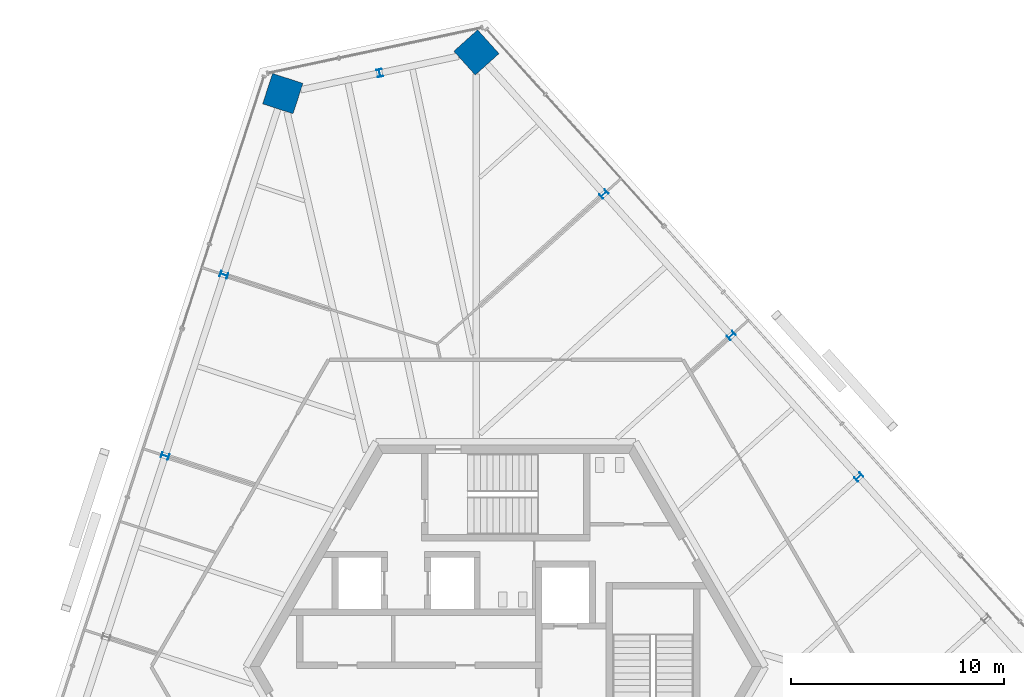
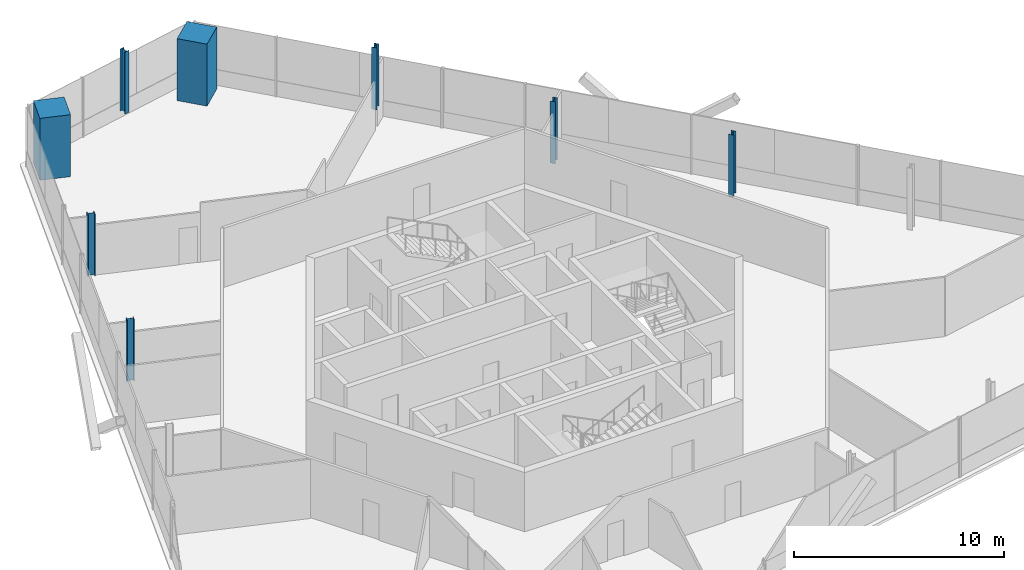
# One storey, part 3 of 15: 8 columns.
"""IFC4 building model written with IfcOpenShell, lengths in metres."""

from ifc_helpers import new_model, si_unit, direction, frame, origin, origin_2d, place, context, subcontext, project, spatial, rectangle, i_section, extrude, source, transform, mapped, material, material_profile, profile_set, type_object, element, save


model = new_model("IFC4")

# Units and contexts
model_context = context("Model", 3, precision=1e-05, world=origin(), true_north=direction((0.0, 1.0)))
body_context = subcontext(model_context, "Body", "Model", "MODEL_VIEW")
ifc_project = project(units=[si_unit("LENGTHUNIT", "METRE"), si_unit("AREAUNIT", "SQUARE_METRE"), si_unit("VOLUMEUNIT", "CUBIC_METRE"), si_unit("PLANEANGLEUNIT", "RADIAN"), si_unit("MASSUNIT", "GRAM", prefix="KILO")], contexts=[model_context])

# Site, building, storey
site_placement = place(None, origin())
site = spatial("IfcSite", under=ifc_project, at=site_placement, CompositionType="ELEMENT")
building_placement = place(site_placement, origin())
building = spatial("IfcBuilding", under=site, at=building_placement, Name="Triune Harvest Tower", CompositionType="ELEMENT")
storey_placement = place(building_placement, frame((0.0, 0.0, 277.5)))
storey = spatial("IfcBuildingStorey", under=building, at=storey_placement, Name="L73", CompositionType="ELEMENT", Elevation=277.5)

# Columns
ifc_material_1 = material(Name="Concrete 70 MPa", Category="concrete")
ifc_material_profile_1 = material_profile(ifc_material_1, rectangle(XDim=1.5, YDim=1.5, at=origin_2d()), Name="Composite 1500x1500")
ifc_profile_set_1 = profile_set([ifc_material_profile_1], Name="Concrete 70 MPa")
column_type_1 = type_object("IfcColumnType", Name="MC-7 Mega column Composite 1500x1500", PredefinedType="COLUMN", material=ifc_profile_set_1)
shared_shape_1 = source(origin(), body_context, "Body", "SweptSolid", [
    extrude(rectangle(XDim=1.5, YDim=1.5, at=origin_2d()), origin(), (0.0, 0.0, 1.0), 3.60009765625),
])
for number, where, z_axis, x_axis, name in (
    (1, (-1.376708984375, 28.794921875, 0.0), (0.0, 0.0, 1.0), (-0.669130606359, 0.743144825477, 0.0), "col/L73/M5"),
    (2, (-10.4541015625, 26.865478515625, 0.0), (0.0, 0.0, 1.0), (-0.309015334468, -0.95105705563, 0.0), "col/L73/M7"),
):
    element("IfcColumn", number, at=place(storey_placement, frame(where, z_axis=z_axis, x_axis=x_axis)), inside=storey, type_object=column_type_1, Name=name, PredefinedType="COLUMN", context=body_context, shape_type="MappedRepresentation", body=[
        mapped(shared_shape_1, transform((0.0, 0.0, 0.0), scale=1.0)),
    ])
ifc_material_2 = material(Name="Steel ASTM A992 Gr 50", Category="steel")
ifc_material_profile_2 = material_profile(ifc_material_2, i_section(OverallWidth=0.256591796875, OverallDepth=0.360595703125, WebThickness=0.011474609375, FlangeThickness=0.02001953125, at=origin_2d()), Name="W14x74")
ifc_profile_set_2 = profile_set([ifc_material_profile_2], Name="Steel ASTM A992 Gr 50")
column_type_2 = type_object("IfcColumnType", Name="PC-7 Perimeter column W14x74", PredefinedType="COLUMN", material=ifc_profile_set_2)
shared_shape_2 = source(origin(), body_context, "Body", "SweptSolid", [
    extrude(i_section(OverallWidth=0.256591796875, OverallDepth=0.360595703125, WebThickness=0.011474609375, FlangeThickness=0.02001953125, at=origin_2d()), origin(), (0.0, 0.0, 1.0), 3.60009765625),
])
for number, where, z_axis, x_axis, name in (
    (3, (16.545166015625, 8.890380859375, 0.0), (0.0, 0.0, 1.0), (-0.669130606359, 0.743144825477, 0.0), "col/L73/P2"),
    (4, (10.5712890625, 15.525146484375, 0.0), (0.0, 0.0, 1.0), (-0.669130606359, 0.743144825477, 0.0), "col/L73/P3"),
    (5, (4.59716796875, 22.159912109375, 1.199951171875), (0.0, 0.0, 1.0), (-0.669130606359, 0.743144825477, 0.0), "col/L73/P4"),
    (6, (-5.91552734375, 27.830078125, 1.199951171875), (0.0, 0.0, 1.0), (-0.978147600734, -0.207911690818, 0.0), "col/L73/P6"),
    (7, (-13.212890625, 18.37451171875, 0.0), (0.0, 0.0, 1.0), (-0.309015334468, -0.95105705563, 0.0), "col/L73/P8"),
    (8, (-15.971923828125, 9.88330078125, 0.0), (0.0, 0.0, 1.0), (-0.309015334468, -0.95105705563, 0.0), "col/L73/P9"),
):
    element("IfcColumn", number, at=place(storey_placement, frame(where, z_axis=z_axis, x_axis=x_axis)), inside=storey, type_object=column_type_2, Name=name, PredefinedType="COLUMN", context=body_context, shape_type="MappedRepresentation", body=[
        mapped(shared_shape_2, transform((0.0, 0.0, 0.0), scale=1.0)),
    ])

save(model, "model.ifc")
